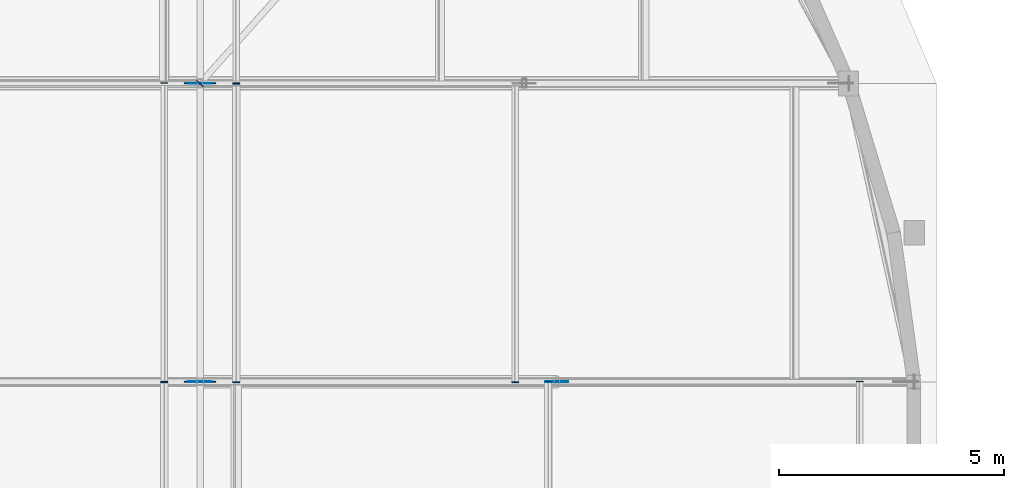
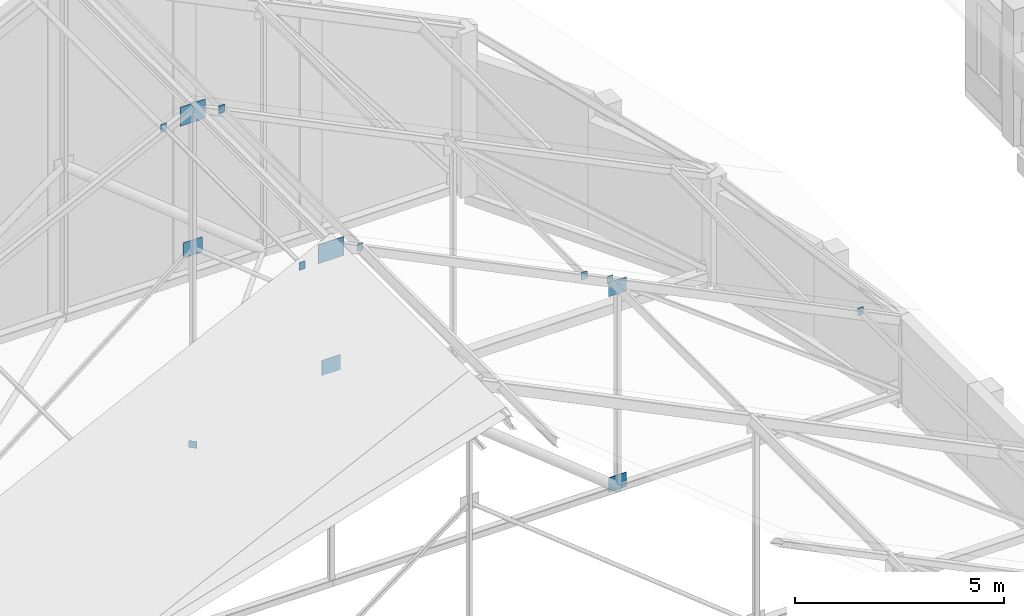
# One storey, part 45 of 78: 16 plates.
"""IFC4 building model written with IfcOpenShell, lengths in metres."""

import ifcopenshell
import ifcopenshell.guid

model = None  # the IFC model being written
_history = None  # IfcOwnerHistory: only IFC2X3 demands one
_inside = {}  # id of a spatial element -> (the spatial element, [elements in it])
_under = {}  # id of a project, library or spatial element -> (it, [spatial elements below it])
_declared = {}  # id of a project -> (the project, [libraries it declares])
_typed = {}  # id of a type object -> (the type object, [elements of that type])
_made_of = {}  # id of a material, layer set ... -> (it, [elements and type objects made of it])


def new_model(schema):
    """Start an empty IFC model of exactly this schema.

    Asked for "IFC4X3", IfcOpenShell would pick the latest addendum, in which some entities
    have other attributes; the version numbers below select the first issue.
    IFC2X3 requires an IfcOwnerHistory on every rooted entity: one is made here for all.
    """
    global model, _history
    if schema == "IFC4X3":
        model = ifcopenshell.file(schema_version=(4, 3, 0, 0))
    else:
        model = ifcopenshell.file(schema=schema)
    _inside.clear()
    _under.clear()
    _declared.clear()
    _typed.clear()
    _made_of.clear()
    _history = None
    if model.schema == "IFC2X3":
        org = make("IfcOrganization", Name="unknown")
        user = make(
            "IfcPersonAndOrganization",
            ThePerson=make("IfcPerson", FamilyName="unknown"),
            TheOrganization=org,
        )
        app = make(
            "IfcApplication",
            ApplicationDeveloper=org,
            Version="unknown",
            ApplicationFullName="unknown",
            ApplicationIdentifier="unknown",
        )
        _history = make(
            "IfcOwnerHistory",
            OwningUser=user,
            OwningApplication=app,
            ChangeAction="ADDED",
            CreationDate=0,
        )
    return model


def make(cls, **values):
    """One entity of the class cls with the attributes given. An attribute that is None is left unset."""
    return model.create_entity(
        cls, **{name: value for name, value in values.items() if value is not None}
    )


def rooted(cls, **values):
    """An entity with a GlobalId (a new one), such as an element, a storey or a relation."""
    return make(cls, GlobalId=ifcopenshell.guid.new(), OwnerHistory=_history, **values)


def si_unit(unit_type, name, prefix=None):
    """IfcSIUnit, for example si_unit("LENGTHUNIT", "METRE", prefix="MILLI")."""
    return make("IfcSIUnit", UnitType=unit_type, Prefix=prefix, Name=name)


def assignment(units):
    """IfcUnitAssignment: the units of a project."""
    return None if units is None else make("IfcUnitAssignment", Units=units)


def point(xyz):
    """IfcCartesianPoint."""
    return None if xyz is None else make("IfcCartesianPoint", Coordinates=xyz)


def direction(xyz):
    """IfcDirection."""
    return None if xyz is None else make("IfcDirection", DirectionRatios=xyz)


def frame(location, z_axis=None, x_axis=None):
    """IfcAxis2Placement3D, a coordinate frame: its origin and axes. An axis left out is left unset."""
    return make(
        "IfcAxis2Placement3D",
        Location=point(location),
        Axis=direction(z_axis),
        RefDirection=direction(x_axis),
    )


def frame_2d(location, x_axis=None):
    """IfcAxis2Placement2D, a coordinate frame in the plane: its origin and x axis."""
    return make(
        "IfcAxis2Placement2D", Location=point(location), RefDirection=direction(x_axis)
    )


def origin():
    """The frame at (0, 0, 0) with its axes left unset."""
    return frame((0.0, 0.0, 0.0))


def origin_2d():
    """The frame at (0, 0) in the plane with its x axis left unset."""
    return frame_2d((0.0, 0.0))


def place(relative_to, where):
    """IfcLocalPlacement: puts the frame where relative to a parent placement (None: the world)."""
    return make(
        "IfcLocalPlacement", PlacementRelTo=relative_to, RelativePlacement=where
    )


def context(
    kind, dimensions, precision=None, world=None, true_north=None, identifier=None
):
    """IfcGeometricRepresentationContext, for example the 3D "Model" context."""
    return make(
        "IfcGeometricRepresentationContext",
        ContextIdentifier=identifier,
        ContextType=kind,
        CoordinateSpaceDimension=dimensions,
        Precision=precision,
        WorldCoordinateSystem=world,
        TrueNorth=true_north,
    )


def subcontext(parent, identifier, kind, view, scale=None):
    """IfcGeometricRepresentationSubContext, for example "Body" below "Model"."""
    return make(
        "IfcGeometricRepresentationSubContext",
        ContextIdentifier=identifier,
        ContextType=kind,
        ParentContext=parent,
        TargetScale=scale,
        TargetView=view,
    )


def project(units=None, contexts=None):
    """IfcProject with its units and contexts."""
    return rooted(
        "IfcProject",
        Name="project",
        RepresentationContexts=contexts,
        UnitsInContext=assignment(units),
    )


def spatial(cls, under=None, at=None, **own):
    """A site, building, storey or space (cls), placed at a placement, below another one or the project."""
    s = rooted(cls, ObjectPlacement=at, **own)
    if under is not None:
        _under.setdefault(under.id(), (under, []))[1].append(s)
    return s


def profile(cls, at=None, kind="AREA", **sizes):
    """A parametric profile (cls). Its sizes go by their IFC names, for example OverallWidth=200.0."""
    return make(cls, ProfileType=kind, Position=at, **sizes)


def rectangle(**sizes):
    """IfcRectangleProfileDef."""
    return profile("IfcRectangleProfileDef", **sizes)


def extrude(swept, where, along, depth):
    """IfcExtrudedAreaSolid: the profile swept, set in the frame where, extruded along a direction by depth."""
    return make(
        "IfcExtrudedAreaSolid",
        SweptArea=swept,
        Position=where,
        ExtrudedDirection=direction(along),
        Depth=depth,
    )


def shape(context_of_items, identifier, shape_type, items):
    """IfcShapeRepresentation: the items that make up one representation, for example the "Body"."""
    return make(
        "IfcShapeRepresentation",
        ContextOfItems=context_of_items,
        RepresentationIdentifier=identifier,
        RepresentationType=shape_type,
        Items=items,
    )


def material(Name=None, Category=None):
    """IfcMaterial."""
    return make("IfcMaterial", Name=Name, Category=Category)


def layer(
    of_material, thickness, ventilated=None, Name=None, Category=None, Priority=None
):
    """IfcMaterialLayer: one layer of a wall or slab, of a material (None: an air gap)."""
    return make(
        "IfcMaterialLayer",
        Material=of_material,
        LayerThickness=thickness,
        IsVentilated=ventilated,
        Name=Name,
        Category=Category,
        Priority=Priority,
    )


def layer_set(layers, Name=None):
    """IfcMaterialLayerSet."""
    return make("IfcMaterialLayerSet", MaterialLayers=layers, LayerSetName=Name)


def made_of(thing, what):
    """Note that an element or type object is made of a material, layer set ...; save() writes the relation."""
    if what is not None:
        _made_of.setdefault(what.id(), (what, []))[1].append(thing)
    return thing


def type_object(cls, material=None, **own):
    """A type object (cls), such as IfcWallType, which elements share."""
    return made_of(rooted(cls, **own), material)


def element(
    cls,
    number,
    at=None,
    inside=None,
    cuts=None,
    type_object=None,
    material=None,
    context=None,
    identifier="Body",
    shape_type=None,
    held_by="IfcProductDefinitionShape",
    body=None,
    shapes=None,
    **own,
):
    """One element of the class cls, such as IfcWall. Its Tag is "e" and its number.

    at: its placement. inside: the storey or other place that contains it. cuts: it is an
    opening in that element (IfcRelVoidsElement). A single representation is given by context,
    identifier, shape_type and body (its items); several are given by shapes. held_by: the class
    of the entity that holds the representations. save() writes the other relations.
    """
    e = rooted(cls, Tag="e%d" % number, ObjectPlacement=at, **own)
    if body is not None:
        shapes = [shape(context, identifier, shape_type, body)]
    if shapes is not None:
        e.Representation = make(held_by, Representations=shapes)
    if inside is not None:
        _inside.setdefault(inside.id(), (inside, []))[1].append(e)
    if cuts is not None:
        rooted(
            "IfcRelVoidsElement", RelatingBuildingElement=cuts, RelatedOpeningElement=e
        )
    if type_object is not None:
        _typed.setdefault(type_object.id(), (type_object, []))[1].append(e)
    return made_of(e, material)


def aggregate(whole, parts):
    """IfcRelAggregates: a whole, such as a stair, and the parts it consists of."""
    return rooted("IfcRelAggregates", RelatingObject=whole, RelatedObjects=parts)


def save(model, path):
    """Write the relations noted so far, then the file.

    IfcRelAggregates (storeys below a building ...), IfcRelContainedInSpatialStructure (elements
    in a storey), IfcRelDefinesByType, IfcRelAssociatesMaterial and IfcRelDeclares: one each for
    every whole, place, type object, material and project.
    """
    for whole, parts in _under.values():
        aggregate(whole, parts)
    for where, things in _inside.values():
        rooted(
            "IfcRelContainedInSpatialStructure",
            RelatedElements=things,
            RelatingStructure=where,
        )
    for kind, things in _typed.values():
        rooted("IfcRelDefinesByType", RelatedObjects=things, RelatingType=kind)
    for what, things in _made_of.values():
        rooted("IfcRelAssociatesMaterial", RelatedObjects=things, RelatingMaterial=what)
    for by, libraries in _declared.values():
        rooted("IfcRelDeclares", RelatingContext=by, RelatedDefinitions=libraries)
    model.write(path)


model = new_model("IFC4")

# Units and contexts
model_context = context("Model", 3, precision=1e-05, world=origin(), true_north=direction((0.0, 1.0)))
body_context = subcontext(model_context, "Body", "Model", "MODEL_VIEW")
ifc_project = project(units=[si_unit("LENGTHUNIT", "METRE"), si_unit("AREAUNIT", "SQUARE_METRE"), si_unit("VOLUMEUNIT", "CUBIC_METRE"), si_unit("PLANEANGLEUNIT", "RADIAN"), si_unit("MASSUNIT", "GRAM", prefix="KILO")], contexts=[model_context])

# Site, building, storey
site_placement = place(None, origin())
site = spatial("IfcSite", under=ifc_project, at=site_placement, CompositionType="ELEMENT")
building_placement = place(site_placement, origin())
building = spatial("IfcBuilding", under=site, at=building_placement, Name="Kelanivale Promenade Academy", CompositionType="ELEMENT")
storey_placement = place(building_placement, frame((0.0, 0.0, 16.199951171875)))
storey = spatial("IfcBuildingStorey", under=building, at=storey_placement, Name="L04", CompositionType="ELEMENT", Elevation=16.199951171875)

# Plates
ifc_material = material(Name="Steel S355", Category="steel")
ifc_layer_1 = layer(ifc_material, 0.01611328125)
ifc_layer_set_1 = layer_set([ifc_layer_1], Name="Steel S355")
plate_type_1 = type_object("IfcPlateType", Name="TN-CP16 Plate 16mm", PredefinedType="USERDEFINED", material=ifc_layer_set_1)
for number, where, z_axis, x_axis, name in (
    (1, (18.800048828125, 66.15087890625, 9.60498046875), (0.0, 0.0, 1.0), (0.0, 1.0, 0.0), "ROOF TRUSS TN-4 hollow-section end cap plate"),
    (2, (27.324951171875, 66.15087890625, 6.22314453125), (0.0, 0.0, 1.0), (0.0, 1.0, 0.0), "ROOF TRUSS TN-4 hollow-section end cap plate"),
    (3, (34.25, 66.15087890625, 2.869140625), (0.0, 0.0, 1.0), (0.0, 1.0, 0.0), "ROOF TRUSS TN-4 hollow-section end cap plate"),
    (4, (18.800048828125, 66.135009765625, 9.63330078125), (0.0, 0.0, 1.0), (0.0, -1.0, 0.0), "ROOF TRUSS TN-4 hollow-section end cap plate"),
    (5, (18.800048828125, 72.779052734375, 9.63330078125), (0.0, 0.0, 1.0), (0.0, 1.0, 0.0), "ROOF TRUSS TN-4 hollow-section end cap plate"),
    (6, (20.39990234375, 66.135009765625, 9.60498046875), (0.0, 0.0, 1.0), (0.0, -1.0, 0.0), "ROOF TRUSS TN-4 hollow-section end cap plate"),
    (7, (20.39990234375, 72.779052734375, 9.60498046875), (0.0, 0.0, 1.0), (0.0, 1.0, 0.0), "ROOF TRUSS TN-4 hollow-section end cap plate"),
    (8, (26.60009765625, 66.135009765625, 6.60498046875), (0.0, 0.0, 1.0), (0.0, -1.0, 0.0), "ROOF TRUSS TN-4 hollow-section end cap plate"),
    (9, (20.39990234375, 72.762939453125, 9.63330078125), (0.0, 0.0, 1.0), (0.0, -1.0, 0.0), "ROOF TRUSS TN-4 hollow-section end cap plate"),
):
    element("IfcPlate", number, at=place(storey_placement, frame(where, z_axis=z_axis, x_axis=x_axis)), inside=storey, type_object=plate_type_1, Name=name, ObjectType="CAP PLATE", PredefinedType="USERDEFINED", context=body_context, shape_type="SweptSolid", body=[
        extrude(rectangle(XDim=0.01611328125, YDim=0.159912109375, at=origin_2d()), origin(), (0.0, 0.0, 1.0), 0.219970703125),
    ])
plate_1_placement = place(storey_placement, frame((19.594970703125, 72.764892578125, 0.10009765625), z_axis=(0.0, 0.0, 1.0), x_axis=(-0.666532470249, -0.745475999683, 0.0)))
element("IfcPlate", 10, at=plate_1_placement, inside=storey, type_object=plate_type_1, Name="ROOF TRUSS TN-3 hollow-section end cap plate", ObjectType="CAP PLATE", PredefinedType="USERDEFINED", context=body_context, shape_type="SweptSolid", body=[
    extrude(rectangle(XDim=0.01611328125, YDim=0.199951171875, at=origin_2d()), origin(), (0.0, 0.0, 1.0), 0.199951171875),
])
ifc_layer_2 = layer(ifc_material, 0.01611328125)
ifc_layer_set_2 = layer_set([ifc_layer_2], Name="Steel S355")
plate_type_2 = type_object("IfcPlateType", Name="TN-GP16 Plate 16mm", PredefinedType="USERDEFINED", material=ifc_layer_set_2)
plate_2_placement = place(storey_placement, frame((19.60009765625, 66.14306640625, 6.320068359375), z_axis=(0.0, 0.0, 1.0), x_axis=(1.0, 0.0, 0.0)))
element("IfcPlate", 11, at=plate_2_placement, inside=storey, type_object=plate_type_2, Name="ROOF TRUSS TN-2D welded node gusset plate", ObjectType="GUSSET PLATE", PredefinedType="USERDEFINED", context=body_context, shape_type="SweptSolid", body=[
    extrude(rectangle(XDim=0.52001953125, YDim=0.01611328125, at=origin_2d()), origin(), (0.0, 0.0, 1.0), 0.43994140625),
])
for number, where, z_axis, x_axis, name in (
    (12, (27.52490234375, 66.14306640625, 0.130126953125), (0.0, 0.0, 1.0), (1.0, 0.0, 0.0), "ROOF TRUSS TN-3E welded node gusset plate"),
    (13, (27.52490234375, 66.14306640625, 5.842041015625), (0.0, 0.0, 1.0), (1.0, 0.0, 0.0), "ROOF TRUSS TN-4E welded node gusset plate"),
):
    element("IfcPlate", number, at=place(storey_placement, frame(where, z_axis=z_axis, x_axis=x_axis)), inside=storey, type_object=plate_type_2, Name=name, ObjectType="GUSSET PLATE", PredefinedType="USERDEFINED", context=body_context, shape_type="SweptSolid", body=[
        extrude(rectangle(XDim=0.5, YDim=0.01611328125, at=origin_2d()), origin(), (0.0, 0.0, 1.0), 0.419921875),
    ])
plate_3_placement = place(storey_placement, frame((19.60009765625, 72.77099609375, 5.739990234375), z_axis=(0.0, 0.0, 1.0), x_axis=(1.0, 0.0, 0.0)))
element("IfcPlate", 14, at=plate_3_placement, inside=storey, type_object=plate_type_2, Name="ROOF TRUSS TN-2D welded node gusset plate", ObjectType="GUSSET PLATE", PredefinedType="USERDEFINED", context=body_context, shape_type="SweptSolid", body=[
    extrude(rectangle(XDim=0.52001953125, YDim=0.01611328125, at=origin_2d()), origin(), (0.0, 0.0, 1.0), 0.43994140625),
])
ifc_layer_3 = layer(ifc_material, 0.02490234375)
ifc_layer_set_3 = layer_set([ifc_layer_3], Name="Steel S355")
plate_type_3 = type_object("IfcPlateType", Name="TN-GP25 Plate 25mm", PredefinedType="USERDEFINED", material=ifc_layer_set_3)
for number, where, z_axis, x_axis, name in (
    (15, (19.60009765625, 66.14306640625, 9.626953125), (0.0, 0.0, 1.0), (1.0, 0.0, 0.0), "ROOF TRUSS TN-2 welded node gusset plate"),
    (16, (19.60009765625, 72.77099609375, 9.626953125), (0.0, 0.0, 1.0), (1.0, 0.0, 0.0), "ROOF TRUSS TN-2 welded node gusset plate"),
):
    element("IfcPlate", number, at=place(storey_placement, frame(where, z_axis=z_axis, x_axis=x_axis)), inside=storey, type_object=plate_type_3, Name=name, ObjectType="GUSSET PLATE", PredefinedType="USERDEFINED", context=body_context, shape_type="SweptSolid", body=[
        extrude(rectangle(XDim=0.699951171875, YDim=0.02490234375, at=origin_2d()), origin(), (0.0, 0.0, 1.0), 0.550048828125),
    ])

save(model, "model.ifc")
